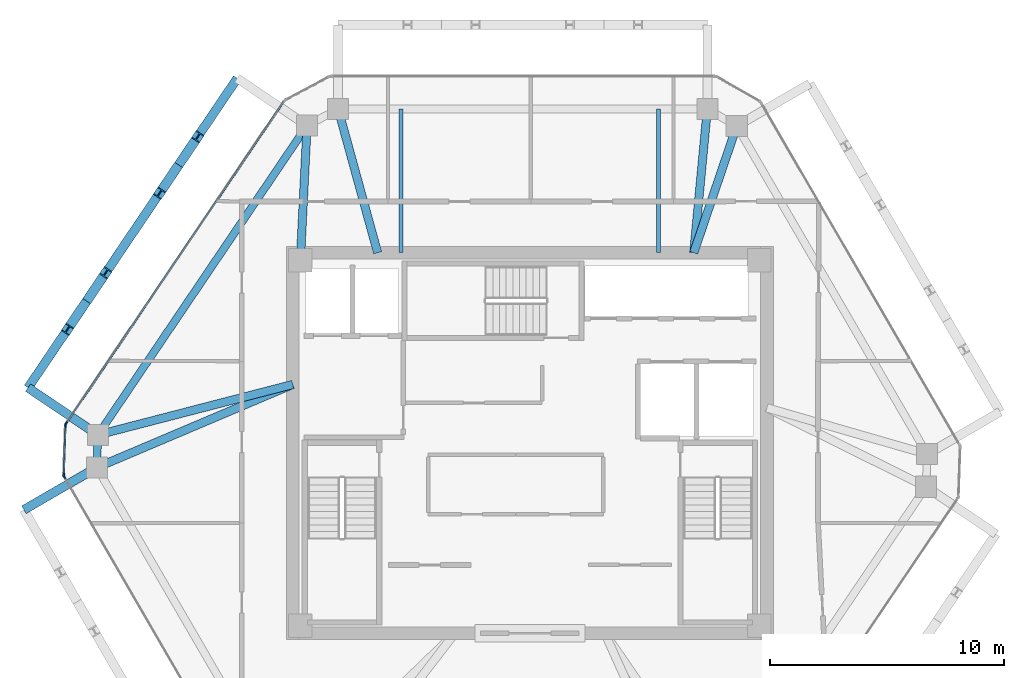
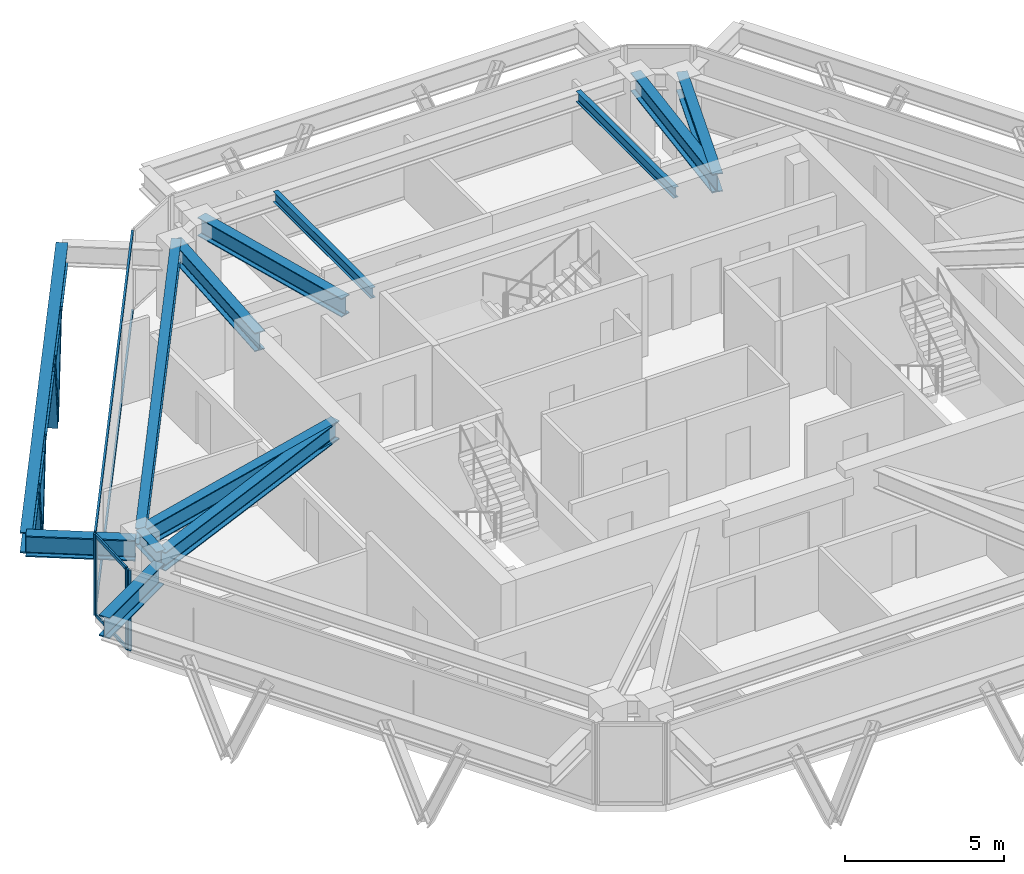
# One storey, part 4 of 11: 13 beams, 12 members, 3 elements without a shape of their own.
"""IFC4 building model written with IfcOpenShell, lengths in metres."""

from ifc_helpers import new_model, si_unit, direction, frame, origin, origin_2d, place, context, subcontext, project, spatial, rectangle, i_section, extrude, source, transform, mapped, material, layer, layer_set, material_profile, profile_set, type_object, type_shapes, element, aggregate, save


model = new_model("IFC4")

# Units and contexts
model_context = context("Model", 3, precision=1e-05, world=origin(), true_north=direction((0.0, 1.0)))
body_context = subcontext(model_context, "Body", "Model", "MODEL_VIEW")
ifc_project = project(units=[si_unit("LENGTHUNIT", "METRE"), si_unit("AREAUNIT", "SQUARE_METRE"), si_unit("VOLUMEUNIT", "CUBIC_METRE"), si_unit("PLANEANGLEUNIT", "RADIAN"), si_unit("MASSUNIT", "GRAM", prefix="KILO")], contexts=[model_context])

# Site, building, storey
site_placement = place(None, origin())
site = spatial("IfcSite", under=ifc_project, at=site_placement, CompositionType="ELEMENT")
building_placement = place(site_placement, origin())
building = spatial("IfcBuilding", under=site, at=building_placement, Name="Durnholm Broadcast Tower", CompositionType="ELEMENT")
storey_placement = place(building_placement, frame((0.0, 0.0, 264.89990234375)))
storey = spatial("IfcBuildingStorey", under=building, at=storey_placement, Name="L74", CompositionType="ELEMENT", Elevation=264.89990234375)

# Beams
ifc_material_1 = material(Name="Steel ASTM A992 Grade 50", Category="steel")
ifc_material_profile_1 = material_profile(ifc_material_1, i_section(OverallWidth=0.385009765625, OverallDepth=0.802978515625, WebThickness=0.023681640625, FlangeThickness=0.0419921875, FilletRadius=0.032958984375, at=origin_2d()), Name="W30X261")
ifc_profile_set_1 = profile_set([ifc_material_profile_1], Name="Steel ASTM A992 Grade 50")
beam_type_1 = type_object("IfcBeamType", Name="BM-EXO-TIE", PredefinedType="USERDEFINED", material=ifc_profile_set_1)
shared_shape_1 = source(origin(), body_context, "Body", "SweptSolid", [
    extrude(i_section(OverallWidth=0.385009765625, OverallDepth=0.802978515625, WebThickness=0.023681640625, FlangeThickness=0.0419921875, FilletRadius=0.032958984375, at=origin_2d()), origin(), (0.0, 0.0, 1.0), 3.4560546875),
])
for number, where, z_axis, x_axis, name in (
    (1, (-18.565673828125, 0.426513671875, 2.3486328125), (-0.828413564093, 0.56011692246, 0.0), (-0.56011692246, -0.828413564093, 0.0), "L74 exoskeleton stand-off tie bracket F5.2"),
    (2, (-18.618896484375, -1.1201171875, 2.3486328125), (-0.864876013532, -0.501985538852, 0.0), (0.501985538852, -0.864876013532, 0.0), "L74 exoskeleton stand-off tie bracket F6.1"),
):
    element("IfcBeam", number, at=place(storey_placement, frame(where, z_axis=z_axis, x_axis=x_axis)), inside=storey, type_object=beam_type_1, Name=name, ObjectType="GIRDER", PredefinedType="USERDEFINED", context=body_context, shape_type="MappedRepresentation", body=[
        mapped(shared_shape_1, transform((0.0, 0.0, 0.0), x_axis=(1.0, 0.0, 0.0), y_axis=(0.0, 1.0, 0.0), z_axis=(0.0, 0.0, 1.0), scale=1.0)),
    ])
ifc_material_profile_2 = material_profile(ifc_material_1, i_section(OverallWidth=0.3251953125, OverallDepth=0.6162109375, WebThickness=0.013916015625, FlangeThickness=0.021484375, FilletRadius=0.02783203125, at=origin_2d()), Name="W24X117")
ifc_profile_set_2 = profile_set([ifc_material_profile_2], Name="Steel ASTM A992 Grade 50")
beam_type_2 = type_object("IfcBeamType", Name="STL-SP-W24X117", PredefinedType="SPANDREL", material=ifc_profile_set_2)
shared_shape_2 = source(origin(), body_context, "Body", "SweptSolid", [
    extrude(i_section(OverallWidth=0.3251953125, OverallDepth=0.6162109375, WebThickness=0.013916015625, FlangeThickness=0.021484375, FilletRadius=0.02783203125, at=origin_2d()), origin(), (0.0, 0.0, 1.0), 1.39453125),
])
beam_1_placement = place(storey_placement, frame((-18.494384765625, -1.0478515625, 2.777099609375), z_axis=(0.034486393061, 0.999405167434, 0.0), x_axis=(-0.999405167434, 0.034486393061, 0.0)))
element("IfcBeam", 3, at=beam_1_placement, inside=storey, type_object=beam_type_2, Name="L74 perimeter spandrel girder 02", PredefinedType="SPANDREL", context=body_context, shape_type="MappedRepresentation", body=[
    mapped(shared_shape_2, transform((0.0, 0.0, 0.0), x_axis=(1.0, 0.0, 0.0), y_axis=(0.0, 1.0, 0.0), z_axis=(0.0, 0.0, 1.0), scale=1.0)),
])
shared_shape_3 = source(origin(), body_context, "Body", "SweptSolid", [
    extrude(i_section(OverallWidth=0.3251953125, OverallDepth=0.6162109375, WebThickness=0.013916015625, FlangeThickness=0.021484375, FilletRadius=0.02783203125, at=origin_2d()), origin(), (0.0, 0.0, 1.0), 15.947265625),
])
type_shapes(beam_type_2, [shared_shape_2, shared_shape_3])
beam_2_placement = place(storey_placement, frame((-18.4462890625, 0.345947265625, 2.777099609375), z_axis=(0.560062212489, 0.828450552623, 0.0), x_axis=(-0.828450552623, 0.560062212489, 0.0)))
element("IfcBeam", 4, at=beam_2_placement, inside=storey, type_object=beam_type_2, Name="L74 perimeter spandrel girder 03", PredefinedType="SPANDREL", context=body_context, shape_type="MappedRepresentation", body=[
    mapped(shared_shape_3, transform((0.0, 0.0, 0.0), x_axis=(1.0, 0.0, 0.0), y_axis=(0.0, 1.0, 0.0), z_axis=(0.0, 0.0, 1.0), scale=1.0)),
])
ifc_material_profile_3 = material_profile(ifc_material_1, i_section(OverallWidth=0.3564453125, OverallDepth=0.713623046875, WebThickness=0.01904296875, FlangeThickness=0.033935546875, FilletRadius=0.030517578125, at=origin_2d()), Name="W27X194")
ifc_profile_set_3 = profile_set([ifc_material_profile_3], Name="Steel ASTM A992 Grade 50")
beam_type_3 = type_object("IfcBeamType", Name="STL-GR-W27X194", PredefinedType="USERDEFINED", material=ifc_profile_set_3)
shared_shape_4 = source(origin(), body_context, "Body", "SweptSolid", [
    extrude(i_section(OverallWidth=0.3564453125, OverallDepth=0.713623046875, WebThickness=0.01904296875, FlangeThickness=0.033935546875, FilletRadius=0.030517578125, at=origin_2d()), origin(), (0.0, 0.0, 1.0), 5.764404296875),
])
beam_3_placement = place(storey_placement, frame((-9.800048828125, 7.800048828125, 2.728271484375), z_axis=(0.049468662109, 0.99877567625, 0.0), x_axis=(-0.99877567625, 0.049468662109, 0.0)))
element("IfcBeam", 5, at=beam_3_placement, inside=storey, type_object=beam_type_3, Name="L74 radial primary floor girder 04", ObjectType="GIRDER", PredefinedType="USERDEFINED", context=body_context, shape_type="MappedRepresentation", body=[
    mapped(shared_shape_4, transform((0.0, 0.0, 0.0), x_axis=(1.0, 0.0, 0.0), y_axis=(0.0, 1.0, 0.0), z_axis=(0.0, 0.0, 1.0), scale=1.0)),
])
shared_shape_5 = source(origin(), body_context, "Body", "SweptSolid", [
    extrude(i_section(OverallWidth=0.385009765625, OverallDepth=0.802978515625, WebThickness=0.023681640625, FlangeThickness=0.0419921875, FilletRadius=0.032958984375, at=origin_2d()), origin(), (0.0, 0.0, 1.0), 15.947021484375),
])
type_shapes(beam_type_1, [shared_shape_1, shared_shape_5])
beam_4_placement = place(storey_placement, frame((-12.497314453125, 15.573486328125, 2.3486328125), z_axis=(-0.560069315853, -0.828445750451, 0.0), x_axis=(0.828445750451, -0.560069315853, 0.0)))
element("IfcBeam", 6, at=beam_4_placement, inside=storey, type_object=beam_type_1, Name="L74 exoskeleton collector spandrel F5", PredefinedType="SPANDREL", context=body_context, shape_type="MappedRepresentation", body=[
    mapped(shared_shape_5, transform((0.0, 0.0, 0.0), x_axis=(1.0, 0.0, 0.0), y_axis=(0.0, 1.0, 0.0), z_axis=(0.0, 0.0, 1.0), scale=1.0)),
])
shared_shape_6 = source(origin(), body_context, "Body", "SweptSolid", [
    extrude(i_section(OverallWidth=0.3564453125, OverallDepth=0.713623046875, WebThickness=0.01904296875, FlangeThickness=0.033935546875, FilletRadius=0.030517578125, at=origin_2d()), origin(), (0.0, 0.0, 1.0), 9.09033203125),
])
beam_5_placement = place(storey_placement, frame((-10.125, 2.5, 2.728271484375), z_axis=(-0.920692350722, -0.390289117607, 0.0), x_axis=(0.390289117607, -0.920692350722, 0.0)))
element("IfcBeam", 7, at=beam_5_placement, inside=storey, type_object=beam_type_3, Name="L74 radial primary floor girder 02", ObjectType="GIRDER", PredefinedType="USERDEFINED", context=body_context, shape_type="MappedRepresentation", body=[
    mapped(shared_shape_6, transform((0.0, 0.0, 0.0), x_axis=(1.0, 0.0, 0.0), y_axis=(0.0, 1.0, 0.0), z_axis=(0.0, 0.0, 1.0), scale=1.0)),
])
shared_shape_7 = source(origin(), body_context, "Body", "SweptSolid", [
    extrude(i_section(OverallWidth=0.3564453125, OverallDepth=0.713623046875, WebThickness=0.01904296875, FlangeThickness=0.033935546875, FilletRadius=0.030517578125, at=origin_2d()), origin(), (0.0, 0.0, 1.0), 8.595458984375),
])
beam_6_placement = place(storey_placement, frame((-10.125, 2.5, 2.728271484375), z_axis=(-0.968090619149, -0.250600385306, 0.0), x_axis=(0.250600385306, -0.968090619149, 0.0)))
element("IfcBeam", 8, at=beam_6_placement, inside=storey, type_object=beam_type_3, Name="L74 radial primary floor girder 03", ObjectType="GIRDER", PredefinedType="USERDEFINED", context=body_context, shape_type="MappedRepresentation", body=[
    mapped(shared_shape_7, transform((0.0, 0.0, 0.0), x_axis=(1.0, 0.0, 0.0), y_axis=(0.0, 1.0, 0.0), z_axis=(0.0, 0.0, 1.0), scale=1.0)),
])
shared_shape_8 = source(origin(), body_context, "Body", "SweptSolid", [
    extrude(i_section(OverallWidth=0.3564453125, OverallDepth=0.713623046875, WebThickness=0.01904296875, FlangeThickness=0.033935546875, FilletRadius=0.030517578125, at=origin_2d()), origin(), (0.0, 0.0, 1.0), 6.36474609375),
])
beam_7_placement = place(storey_placement, frame((-6.5, 8.125, 2.728271484375), z_axis=(-0.265168072834, 0.96420220553, 0.0), x_axis=(-0.96420220553, -0.265168072834, 0.0)))
element("IfcBeam", 9, at=beam_7_placement, inside=storey, type_object=beam_type_3, Name="L74 radial primary floor girder 05", ObjectType="GIRDER", PredefinedType="USERDEFINED", context=body_context, shape_type="MappedRepresentation", body=[
    mapped(shared_shape_8, transform((0.0, 0.0, 0.0), x_axis=(1.0, 0.0, 0.0), y_axis=(0.0, 1.0, 0.0), z_axis=(0.0, 0.0, 1.0), scale=1.0)),
])
shared_shape_9 = source(origin(), body_context, "Body", "SweptSolid", [
    extrude(i_section(OverallWidth=0.3564453125, OverallDepth=0.713623046875, WebThickness=0.01904296875, FlangeThickness=0.033935546875, FilletRadius=0.030517578125, at=origin_2d()), origin(), (0.0, 0.0, 1.0), 6.164306640625),
])
beam_8_placement = place(storey_placement, frame((7.0, 8.125, 2.728271484375), z_axis=(0.094024068139, 0.995569924521, 0.0), x_axis=(-0.995569924521, 0.094024068139, 0.0)))
element("IfcBeam", 10, at=beam_8_placement, inside=storey, type_object=beam_type_3, Name="L74 radial primary floor girder 06", ObjectType="GIRDER", PredefinedType="USERDEFINED", context=body_context, shape_type="MappedRepresentation", body=[
    mapped(shared_shape_9, transform((0.0, 0.0, 0.0), x_axis=(1.0, 0.0, 0.0), y_axis=(0.0, 1.0, 0.0), z_axis=(0.0, 0.0, 1.0), scale=1.0)),
])
shared_shape_10 = source(origin(), body_context, "Body", "SweptSolid", [
    extrude(i_section(OverallWidth=0.3564453125, OverallDepth=0.713623046875, WebThickness=0.01904296875, FlangeThickness=0.033935546875, FilletRadius=0.030517578125, at=origin_2d()), origin(), (0.0, 0.0, 1.0), 5.716064453125),
])
type_shapes(beam_type_3, [shared_shape_4, shared_shape_6, shared_shape_7, shared_shape_8, shared_shape_9, shared_shape_10])
beam_9_placement = place(storey_placement, frame((7.0, 8.125, 2.728271484375), z_axis=(0.321450919754, 0.946926241156, 0.0), x_axis=(-0.946926241156, 0.321450919754, 0.0)))
element("IfcBeam", 11, at=beam_9_placement, inside=storey, type_object=beam_type_3, Name="L74 radial primary floor girder 07", ObjectType="GIRDER", PredefinedType="USERDEFINED", context=body_context, shape_type="MappedRepresentation", body=[
    mapped(shared_shape_10, transform((0.0, 0.0, 0.0), x_axis=(1.0, 0.0, 0.0), y_axis=(0.0, 1.0, 0.0), z_axis=(0.0, 0.0, 1.0), scale=1.0)),
])
ifc_material_profile_4 = material_profile(ifc_material_1, i_section(OverallWidth=0.177734375, OverallDepth=0.40673828125, WebThickness=0.0078125, FlangeThickness=0.0126953125, FilletRadius=0.01904296875, at=origin_2d()), Name="W16X40")
ifc_profile_set_4 = profile_set([ifc_material_profile_4], Name="Steel ASTM A992 Grade 50")
beam_type_4 = type_object("IfcBeamType", Name="STL-BJ-W16X40", PredefinedType="JOIST", material=ifc_profile_set_4)
shared_shape_11 = source(origin(), body_context, "Body", "SweptSolid", [
    extrude(i_section(OverallWidth=0.177734375, OverallDepth=0.40673828125, WebThickness=0.0078125, FlangeThickness=0.0126953125, FilletRadius=0.01904296875, at=origin_2d()), origin(), (0.0, 0.0, 1.0), 6.136962890625),
])
type_shapes(beam_type_4, [shared_shape_11])
for number, where, z_axis, x_axis, name in (
    (12, (-5.5, 8.125, 2.8818359375), (0.0, 1.0, 0.0), (-1.0, 0.0, 0.0), "L74 secondary floor joist 3.2"),
    (13, (5.5, 8.125, 2.8818359375), (0.0, 1.0, 0.0), (-1.0, 0.0, 0.0), "L74 secondary floor joist 4.2"),
):
    element("IfcBeam", number, at=place(storey_placement, frame(where, z_axis=z_axis, x_axis=x_axis)), inside=storey, type_object=beam_type_4, Name=name, PredefinedType="JOIST", context=body_context, shape_type="MappedRepresentation", body=[
        mapped(shared_shape_11, transform((0.0, 0.0, 0.0), x_axis=(1.0, 0.0, 0.0), y_axis=(0.0, 1.0, 0.0), z_axis=(0.0, 0.0, 1.0), scale=1.0)),
    ])

# Members
ifc_material_2 = material(Name="Steel ASTM A913 Grade 65", Category="steel")
ifc_material_profile_5 = material_profile(ifc_material_2, i_section(OverallWidth=0.40625, OverallDepth=0.416015625, WebThickness=0.02978515625, FlangeThickness=0.048095703125, FilletRadius=0.030517578125, at=origin_2d()), Name="W14X257")
ifc_profile_set_5 = profile_set([ifc_material_profile_5], Name="Steel ASTM A913 Grade 65")
member_type_1 = type_object("IfcMemberType", Name="STL-DG-W14X257", PredefinedType="BRACE", material=ifc_profile_set_5)
shared_shape_12 = source(origin(), body_context, "Body", "SweptSolid", [
    extrude(i_section(OverallWidth=0.40625, OverallDepth=0.416015625, WebThickness=0.02978515625, FlangeThickness=0.048095703125, FilletRadius=0.030517578125, at=origin_2d()), origin(), (0.0, 0.0, 1.0), 3.69970703125),
])
type_shapes(member_type_1, [shared_shape_12])
for number, where, z_axis, x_axis, name in (
    (14, (-14.998046875, 11.874267578125, -1.051513671875), (0.220734165395, 0.326580981925, 0.91903280163), (-0.828505003222, 0.559981660089, 0.0), "L74 stand-off diagrid brace F5.D1.1"),
    (15, (-14.998046875, 11.874267578125, -1.051513671875), (-0.220738922076, -0.326522028829, 0.919052606204), (0.828452496411, -0.560059337206, 0.0), "L74 stand-off diagrid brace F5.D1.2"),
    (16, (-18.927978515625, 6.061279296875, -1.051513671875), (0.220738922076, 0.326522028829, 0.919052606204), (-0.828452496411, 0.560059337206, 0.0), "L74 stand-off diagrid brace F5.D2.1"),
    (17, (-18.927978515625, 6.061279296875, -1.051513671875), (-0.220738922076, -0.326522028829, 0.919052606204), (0.828452496411, -0.560059337206, 0.0), "L74 stand-off diagrid brace F5.D2.2"),
):
    element("IfcMember", number, at=place(storey_placement, frame(where, z_axis=z_axis, x_axis=x_axis)), inside=storey, type_object=member_type_1, Name=name, PredefinedType="BRACE", context=body_context, shape_type="MappedRepresentation", body=[
        mapped(shared_shape_12, transform((0.0, 0.0, 0.0), x_axis=(1.0, 0.0, 0.0), y_axis=(0.0, 1.0, 0.0), z_axis=(0.0, 0.0, 1.0), scale=1.0)),
    ])

# Curtain wall, members
ifc_material_3 = material(Name="Aluminium and Solar Control IGU", Category="aluminium")
ifc_layer_1 = layer(ifc_material_3, 0.1650390625)
ifc_layer_set_1 = layer_set([ifc_layer_1], Name="Aluminium and Solar Control IGU")
curtain_wall_type_1 = type_object("IfcCurtainWallType", Name="CW-SYS-5", PredefinedType="NOTDEFINED", material=ifc_layer_set_1)
curtain_wall_1_placement = place(storey_placement, origin())
curtain_wall_1 = element("IfcCurtainWall", 18, at=curtain_wall_1_placement, inside=storey, type_object=curtain_wall_type_1, Name="L74 curtain wall CW-CORNER CW-L74-CRN-01", PredefinedType="NOTDEFINED")
ifc_material_4 = material(Name="Aluminium 6063-T6", Category="aluminium")
ifc_material_profile_6 = material_profile(ifc_material_4, rectangle(XDim=0.06494140625, YDim=0.1298828125, at=origin_2d()), Name="CWT65X130")
ifc_profile_set_6 = profile_set([ifc_material_profile_6], Name="Aluminium 6063-T6")
member_type_2 = type_object("IfcMemberType", Name="CW-SYS-5-TRN", PredefinedType="USERDEFINED", material=ifc_profile_set_6)
shared_shape_13 = source(origin(), body_context, "Body", "SweptSolid", [
    extrude(rectangle(XDim=0.06494140625, YDim=0.1298828125, at=origin_2d()), origin(), (0.0, 0.0, 1.0), 2.070068359375),
])
type_shapes(member_type_2, [shared_shape_13])
member_1_placement = place(storey_placement, frame((-19.905029296875, -1.33740234375, 0.03271484375), z_axis=(0.034320104965, 0.999410891673, 0.0), x_axis=(-0.999410891673, 0.034320104965, 0.0)))
member_1 = element("IfcMember", 19, at=member_1_placement, type_object=member_type_2, Name="CW-CORNER transom 1.1", ObjectType="TRANSOM", PredefinedType="USERDEFINED", context=body_context, shape_type="MappedRepresentation", body=[
    mapped(shared_shape_13, transform((0.0, 0.0, 0.0), x_axis=(1.0, 0.0, 0.0), y_axis=(0.0, 1.0, 0.0), z_axis=(0.0, 0.0, 1.0), scale=1.0)),
])
member_2_placement = place(storey_placement, frame((-19.905029296875, -1.33740234375, 3.067626953125), z_axis=(0.034320104965, 0.999410891673, 0.0), x_axis=(-0.999410891673, 0.034320104965, 0.0)))
member_2 = element("IfcMember", 20, at=member_2_placement, type_object=member_type_2, Name="CW-CORNER transom 1.2", ObjectType="TRANSOM", PredefinedType="USERDEFINED", context=body_context, shape_type="MappedRepresentation", body=[
    mapped(shared_shape_13, transform((0.0, 0.0, 0.0), x_axis=(1.0, 0.0, 0.0), y_axis=(0.0, 1.0, 0.0), z_axis=(0.0, 0.0, 1.0), scale=1.0)),
])

ifc_layer_2 = layer(ifc_material_3, 0.18994140625)
ifc_layer_set_2 = layer_set([ifc_layer_2], Name="Aluminium and Solar Control IGU")
curtain_wall_type_2 = type_object("IfcCurtainWallType", Name="CW-SYS-4", PredefinedType="NOTDEFINED", material=ifc_layer_set_2)
curtain_wall_2_placement = place(storey_placement, origin())
curtain_wall_2 = element("IfcCurtainWall", 21, at=curtain_wall_2_placement, inside=storey, type_object=curtain_wall_type_2, Name="L74 curtain wall CW-Z34-VIS CW-L74-F02", PredefinedType="NOTDEFINED")
ifc_material_profile_7 = material_profile(ifc_material_4, rectangle(XDim=0.070068359375, YDim=0.14990234375, at=origin_2d()), Name="CWT70X150")
ifc_profile_set_7 = profile_set([ifc_material_profile_7], Name="Aluminium 6063-T6")
member_type_3 = type_object("IfcMemberType", Name="CW-SYS-4-TRN", PredefinedType="USERDEFINED", material=ifc_profile_set_7)
shared_shape_14 = source(origin(), body_context, "Body", "SweptSolid", [
    extrude(rectangle(XDim=0.070068359375, YDim=0.14990234375, at=origin_2d()), origin(), (0.0, 0.0, 1.0), 16.55859375),
])
type_shapes(member_type_3, [shared_shape_14])
member_3_placement = place(storey_placement, frame((-19.79248046875, 0.8544921875, 0.03515625), z_axis=(0.560071338091, 0.828444383317, 0.0), x_axis=(-0.828444383317, 0.560071338091, 0.0)))
member_3 = element("IfcMember", 22, at=member_3_placement, type_object=member_type_3, Name="CW-Z34-VIS transom 1.1", ObjectType="TRANSOM", PredefinedType="USERDEFINED", context=body_context, shape_type="MappedRepresentation", body=[
    mapped(shared_shape_14, transform((0.0, 0.0, 0.0), x_axis=(1.0, 0.0, 0.0), y_axis=(0.0, 1.0, 0.0), z_axis=(0.0, 0.0, 1.0), scale=1.0)),
])
member_4_placement = place(storey_placement, frame((-19.79248046875, 0.8544921875, 3.065185546875), z_axis=(0.560071338091, 0.828444383317, 0.0), x_axis=(-0.828444383317, 0.560071338091, 0.0)))
member_4 = element("IfcMember", 23, at=member_4_placement, type_object=member_type_3, Name="CW-Z34-VIS transom 1.2", ObjectType="TRANSOM", PredefinedType="USERDEFINED", context=body_context, shape_type="MappedRepresentation", body=[
    mapped(shared_shape_14, transform((0.0, 0.0, 0.0), x_axis=(1.0, 0.0, 0.0), y_axis=(0.0, 1.0, 0.0), z_axis=(0.0, 0.0, 1.0), scale=1.0)),
])

# Member
ifc_material_profile_8 = material_profile(ifc_material_4, rectangle(XDim=0.06494140625, YDim=0.1650390625, at=origin_2d()), Name="CWM65X165")
ifc_profile_set_8 = profile_set([ifc_material_profile_8], Name="Aluminium 6063-T6")
member_type_4 = type_object("IfcMemberType", Name="CW-SYS-5-MUL", PredefinedType="MULLION", material=ifc_profile_set_8)
shared_shape_15 = source(origin(), body_context, "Body", "SweptSolid", [
    extrude(rectangle(XDim=0.06494140625, YDim=0.1650390625, at=origin_2d()), origin(), (0.0, 0.0, 1.0), 3.10009765625),
])
type_shapes(member_type_4, [shared_shape_15])
member_5_placement = place(storey_placement, frame((-19.90625, -1.369873046875, 0.0), z_axis=(0.0, 0.0, 1.0), x_axis=(-0.999410955514, 0.034318245849, 0.0)))
member_5 = element("IfcMember", 24, at=member_5_placement, type_object=member_type_4, Name="CW-CORNER mullion 1", PredefinedType="MULLION", context=body_context, shape_type="MappedRepresentation", body=[
    mapped(shared_shape_15, transform((0.0, 0.0, 0.0), x_axis=(1.0, 0.0, 0.0), y_axis=(0.0, 1.0, 0.0), z_axis=(0.0, 0.0, 1.0), scale=1.0)),
])

member_6_placement = place(storey_placement, frame((-19.8330078125, 0.763916015625, 0.0), z_axis=(0.0, 0.0, 1.0), x_axis=(-0.999410955514, 0.034318245849, 0.0)))
member_6 = element("IfcMember", 25, at=member_6_placement, type_object=member_type_4, Name="CW-CORNER mullion 2", PredefinedType="MULLION", context=body_context, shape_type="MappedRepresentation", body=[
    mapped(shared_shape_15, transform((0.0, 0.0, 0.0), x_axis=(1.0, 0.0, 0.0), y_axis=(0.0, 1.0, 0.0), z_axis=(0.0, 0.0, 1.0), scale=1.0)),
])

aggregate(curtain_wall_1, [member_5, member_6, member_1, member_2])

ifc_material_profile_9 = material_profile(ifc_material_4, rectangle(XDim=0.070068359375, YDim=0.18994140625, at=origin_2d()), Name="CWM70X190")
ifc_profile_set_9 = profile_set([ifc_material_profile_9], Name="Aluminium 6063-T6")
member_type_5 = type_object("IfcMemberType", Name="CW-SYS-4-MUL", PredefinedType="MULLION", material=ifc_profile_set_9)
shared_shape_16 = source(origin(), body_context, "Body", "SweptSolid", [
    extrude(rectangle(XDim=0.070068359375, YDim=0.18994140625, at=origin_2d()), origin(), (0.0, 0.0, 1.0), 3.10009765625),
])
type_shapes(member_type_5, [shared_shape_16])
member_7_placement = place(storey_placement, frame((-19.812255859375, 0.825439453125, 0.0), z_axis=(0.0, 0.0, 1.0), x_axis=(-0.828443431662, 0.560072745753, 0.0)))
member_7 = element("IfcMember", 26, at=member_7_placement, type_object=member_type_5, Name="CW-Z34-VIS mullion 1", PredefinedType="MULLION", context=body_context, shape_type="MappedRepresentation", body=[
    mapped(shared_shape_16, transform((0.0, 0.0, 0.0), x_axis=(1.0, 0.0, 0.0), y_axis=(0.0, 1.0, 0.0), z_axis=(0.0, 0.0, 1.0), scale=1.0)),
])

aggregate(curtain_wall_2, [member_7, member_3, member_4])

# Curtain wall, member
curtain_wall_3_placement = place(storey_placement, origin())
curtain_wall_3 = element("IfcCurtainWall", 27, at=curtain_wall_3_placement, inside=storey, type_object=curtain_wall_type_2, Name="L74 curtain wall CW-Z34-VIS CW-L74-F12", PredefinedType="NOTDEFINED")
member_8_placement = place(storey_placement, frame((-19.8896484375, -1.4326171875, 0.0), z_axis=(0.0, 0.0, 1.0), x_axis=(-0.864899883824, -0.50194441023, 0.0)))
member_8 = element("IfcMember", 28, at=member_8_placement, type_object=member_type_5, Name="CW-Z34-VIS mullion 2", PredefinedType="MULLION", context=body_context, shape_type="MappedRepresentation", body=[
    mapped(shared_shape_16, transform((0.0, 0.0, 0.0), x_axis=(1.0, 0.0, 0.0), y_axis=(0.0, 1.0, 0.0), z_axis=(0.0, 0.0, 1.0), scale=1.0)),
])
aggregate(curtain_wall_3, [member_8])

save(model, "model.ifc")
